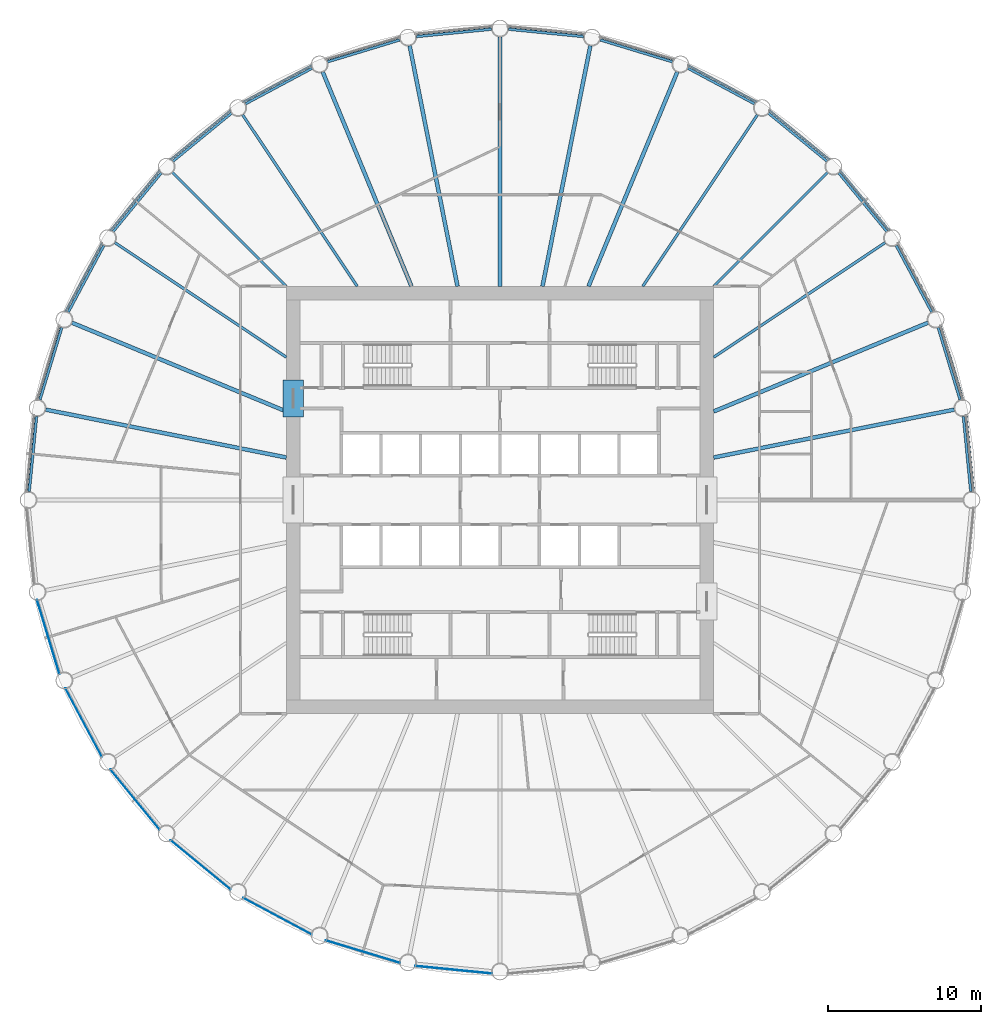
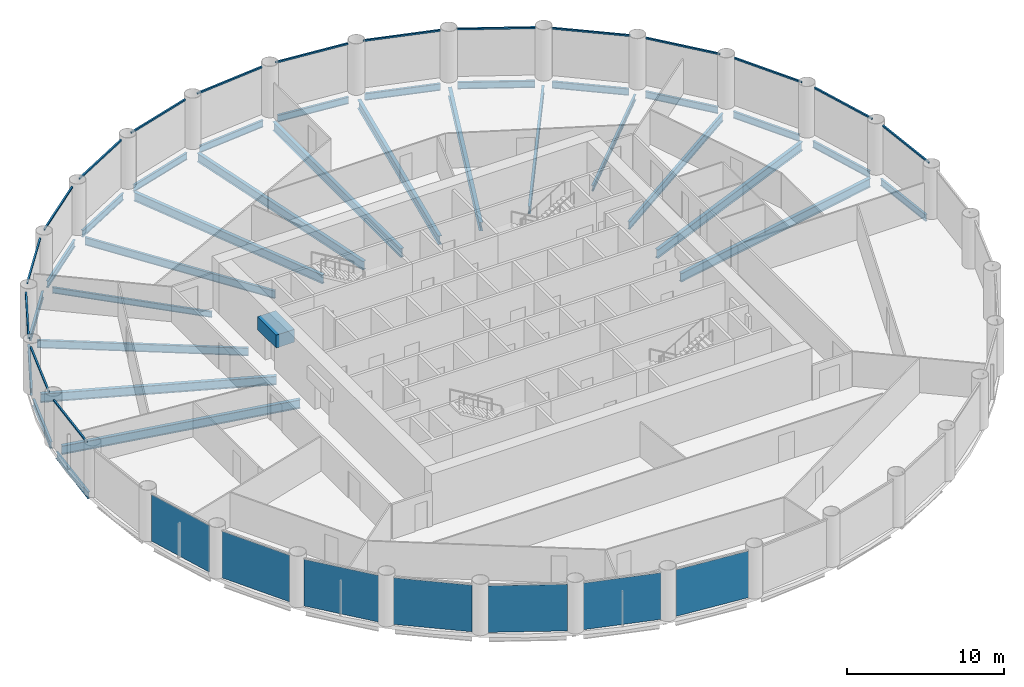
# One storey, part 2 of 9: 32 beams, 16 members, 7 plates, 23 elements without a shape of their own.
"""IFC4 building model written with IfcOpenShell, lengths in metres."""

from ifc_helpers import new_model, si_unit, direction, frame, origin, origin_2d, place, context, subcontext, project, spatial, rectangle, i_section, extrude, material, layer, layer_set, material_profile, profile_set, type_object, element, aggregate, save


model = new_model("IFC4")

# Units and contexts
model_context = context("Model", 3, precision=1e-05, world=origin(), true_north=direction((0.0, 1.0)))
body_context = subcontext(model_context, "Body", "Model", "MODEL_VIEW")
ifc_project = project(units=[si_unit("LENGTHUNIT", "METRE"), si_unit("AREAUNIT", "SQUARE_METRE"), si_unit("VOLUMEUNIT", "CUBIC_METRE"), si_unit("PLANEANGLEUNIT", "RADIAN"), si_unit("MASSUNIT", "GRAM", prefix="KILO")], contexts=[model_context])

# Site, building, storey
site_placement = place(None, origin())
site = spatial("IfcSite", under=ifc_project, at=site_placement, CompositionType="ELEMENT")
building_placement = place(site_placement, origin())
building = spatial("IfcBuilding", under=site, at=building_placement, Name="Corvane Civic Tower", CompositionType="ELEMENT")
storey_placement = place(building_placement, frame((0.0, 0.0, 148.0)))
storey = spatial("IfcBuildingStorey", under=building, at=storey_placement, Name="L34", CompositionType="ELEMENT", Elevation=148.0)

# Beams
ifc_material_1 = material(Name="Concrete C60/75", Category="concrete")
ifc_material_profile_1 = material_profile(ifc_material_1, rectangle(XDim=1.35009765625, YDim=1.0, at=origin_2d()), Name="COUPLING BEAM 1350X1000")
ifc_profile_set_1 = profile_set([ifc_material_profile_1], Name="Concrete C60/75")
beam_type_1 = type_object("IfcBeamType", Name="COUPLING BEAM COUPLING BEAM 1350X1000", PredefinedType="BEAM", material=ifc_profile_set_1)
beam_1_placement = place(storey_placement, frame((-13.550048828125, 5.449951171875, 2.60009765625), z_axis=(0.0, 1.0, 0.0), x_axis=(-1.0, 0.0, 0.0)))
element("IfcBeam", 1, at=beam_1_placement, inside=storey, type_object=beam_type_1, Name="BM-L34-cpl-CW-WN", PredefinedType="BEAM", context=body_context, shape_type="SweptSolid", body=[
    extrude(rectangle(XDim=1.35009765625, YDim=1.0, at=origin_2d()), origin(), (0.0, 0.0, 1.0), 2.400146484375),
])
ifc_material_2 = material(Name="Steel ASTM A992 Gr 50", Category="steel")
ifc_material_profile_2 = material_profile(ifc_material_2, i_section(OverallWidth=0.165771484375, OverallDepth=0.5283203125, WebThickness=0.009765625, FlangeThickness=0.013671875, at=origin_2d()), Name="W21X50")
ifc_profile_set_2 = profile_set([ifc_material_profile_2], Name="Steel ASTM A992 Gr 50")
beam_type_2 = type_object("IfcBeamType", Name="EDGE BEAM W21X50", PredefinedType="BEAM", material=ifc_profile_set_2)
beam_2_placement = place(storey_placement, frame((0.54736328125, 30.845947265625, -0.564208984375), z_axis=(0.995186236294, -0.09800181167, 0.0), x_axis=(0.09800181167, 0.995186236294, 0.0)))
element("IfcBeam", 2, at=beam_2_placement, inside=storey, type_object=beam_type_2, Name="BM-L34-E01", PredefinedType="BEAM", context=body_context, shape_type="SweptSolid", body=[
    extrude(i_section(OverallWidth=0.165771484375, OverallDepth=0.5283203125, WebThickness=0.009765625, FlangeThickness=0.013671875, at=origin_2d()), origin(), (0.0, 0.0, 1.0), 4.95751953125),
])
beam_3_placement = place(storey_placement, frame((6.5546875, 30.146484375, -0.564208984375), z_axis=(0.956944842086, -0.290269821381, 0.0), x_axis=(0.290269821381, 0.956944842086, 0.0)))
element("IfcBeam", 3, at=beam_3_placement, inside=storey, type_object=beam_type_2, Name="BM-L34-E02", PredefinedType="BEAM", context=body_context, shape_type="SweptSolid", body=[
    extrude(i_section(OverallWidth=0.165771484375, OverallDepth=0.5283203125, WebThickness=0.009765625, FlangeThickness=0.013671875, at=origin_2d()), origin(), (0.0, 0.0, 1.0), 4.957275390625),
])
for number, where, z_axis, x_axis, name in (
    (4, (12.31005859375, 28.28857421875, -0.564208984375), (0.881921784846, -0.471395763042, 0.0), (0.471395763042, 0.881921784846, 0.0), "BM-L34-E03"),
    (5, (17.59228515625, 25.343505859375, -0.564208984375), (0.77301516208, -0.634387546532, 0.0), (0.634387546532, 0.77301516208, 0.0), "BM-L34-E04"),
    (6, (22.198486328125, 21.424560546875, -0.564208984375), (0.634387546532, -0.77301516208, 0.0), (0.77301516208, 0.634387546532, 0.0), "BM-L34-E05"),
    (7, (25.95166015625, 16.68212890625, -0.564208984375), (0.471395763042, -0.881921784846, 0.0), (0.881921784846, 0.471395763042, 0.0), "BM-L34-E06"),
):
    element("IfcBeam", number, at=place(storey_placement, frame(where, z_axis=z_axis, x_axis=x_axis)), inside=storey, type_object=beam_type_2, Name=name, PredefinedType="BEAM", context=body_context, shape_type="SweptSolid", body=[
        extrude(i_section(OverallWidth=0.165771484375, OverallDepth=0.5283203125, WebThickness=0.009765625, FlangeThickness=0.013671875, at=origin_2d()), origin(), (0.0, 0.0, 1.0), 4.95751953125),
    ])
beam_4_placement = place(storey_placement, frame((28.70751953125, 11.298583984375, -0.564208984375), z_axis=(0.290269821381, -0.956944842086, 0.0), x_axis=(0.956944842086, 0.290269821381, 0.0)))
element("IfcBeam", 8, at=beam_4_placement, inside=storey, type_object=beam_type_2, Name="BM-L34-E07", PredefinedType="BEAM", context=body_context, shape_type="SweptSolid", body=[
    extrude(i_section(OverallWidth=0.165771484375, OverallDepth=0.5283203125, WebThickness=0.009765625, FlangeThickness=0.013671875, at=origin_2d()), origin(), (0.0, 0.0, 1.0), 4.957275390625),
])
for number, where, z_axis, x_axis, name in (
    (9, (30.360107421875, 5.48095703125, -0.564208984375), (0.09800181167, -0.995186236294, 0.0), (0.995186236294, 0.09800181167, 0.0), "BM-L34-E08"),
    (10, (-30.845947265625, 0.54736328125, -0.564208984375), (0.09800181167, 0.995186236294, 0.0), (-0.995186236294, 0.09800181167, 0.0), "BM-L34-E25"),
):
    element("IfcBeam", number, at=place(storey_placement, frame(where, z_axis=z_axis, x_axis=x_axis)), inside=storey, type_object=beam_type_2, Name=name, PredefinedType="BEAM", context=body_context, shape_type="SweptSolid", body=[
        extrude(i_section(OverallWidth=0.165771484375, OverallDepth=0.5283203125, WebThickness=0.009765625, FlangeThickness=0.013671875, at=origin_2d()), origin(), (0.0, 0.0, 1.0), 4.95751953125),
    ])
beam_5_placement = place(storey_placement, frame((-30.146484375, 6.5546875, -0.564208984375), z_axis=(0.290269821381, 0.956944842086, 0.0), x_axis=(-0.956944842086, 0.290269821381, 0.0)))
element("IfcBeam", 11, at=beam_5_placement, inside=storey, type_object=beam_type_2, Name="BM-L34-E26", PredefinedType="BEAM", context=body_context, shape_type="SweptSolid", body=[
    extrude(i_section(OverallWidth=0.165771484375, OverallDepth=0.5283203125, WebThickness=0.009765625, FlangeThickness=0.013671875, at=origin_2d()), origin(), (0.0, 0.0, 1.0), 4.957275390625),
])
for number, where, z_axis, x_axis, name in (
    (12, (-28.28857421875, 12.31005859375, -0.564208984375), (0.471395763042, 0.881921784846, 0.0), (-0.881921784846, 0.471395763042, 0.0), "BM-L34-E27"),
    (13, (-25.343505859375, 17.59228515625, -0.564208984375), (0.634387546532, 0.77301516208, 0.0), (-0.77301516208, 0.634387546532, 0.0), "BM-L34-E28"),
    (14, (-21.424560546875, 22.198486328125, -0.564208984375), (0.77301516208, 0.634387546532, 0.0), (-0.634387546532, 0.77301516208, 0.0), "BM-L34-E29"),
    (15, (-16.68212890625, 25.95166015625, -0.564208984375), (0.881921784846, 0.471395763042, 0.0), (-0.471395763042, 0.881921784846, 0.0), "BM-L34-E30"),
):
    element("IfcBeam", number, at=place(storey_placement, frame(where, z_axis=z_axis, x_axis=x_axis)), inside=storey, type_object=beam_type_2, Name=name, PredefinedType="BEAM", context=body_context, shape_type="SweptSolid", body=[
        extrude(i_section(OverallWidth=0.165771484375, OverallDepth=0.5283203125, WebThickness=0.009765625, FlangeThickness=0.013671875, at=origin_2d()), origin(), (0.0, 0.0, 1.0), 4.95751953125),
    ])
beam_6_placement = place(storey_placement, frame((-11.298583984375, 28.70751953125, -0.564208984375), z_axis=(0.956944842086, 0.290269821381, 0.0), x_axis=(-0.290269821381, 0.956944842086, 0.0)))
element("IfcBeam", 16, at=beam_6_placement, inside=storey, type_object=beam_type_2, Name="BM-L34-E31", PredefinedType="BEAM", context=body_context, shape_type="SweptSolid", body=[
    extrude(i_section(OverallWidth=0.165771484375, OverallDepth=0.5283203125, WebThickness=0.009765625, FlangeThickness=0.013671875, at=origin_2d()), origin(), (0.0, 0.0, 1.0), 4.957275390625),
])
beam_7_placement = place(storey_placement, frame((-5.48095703125, 30.360107421875, -0.564208984375), z_axis=(0.995186236294, 0.09800181167, 0.0), x_axis=(-0.09800181167, 0.995186236294, 0.0)))
element("IfcBeam", 17, at=beam_7_placement, inside=storey, type_object=beam_type_2, Name="BM-L34-E32", PredefinedType="BEAM", context=body_context, shape_type="SweptSolid", body=[
    extrude(i_section(OverallWidth=0.165771484375, OverallDepth=0.5283203125, WebThickness=0.009765625, FlangeThickness=0.013671875, at=origin_2d()), origin(), (0.0, 0.0, 1.0), 4.95751953125),
])
ifc_material_3 = material(Name="Steel ASTM A992 Gr 50", Category="steel")
ifc_material_profile_3 = material_profile(ifc_material_3, i_section(OverallWidth=0.15283203125, OverallDepth=0.45458984375, WebThickness=0.008056640625, FlangeThickness=0.013427734375, at=origin_2d()), Name="W18X40")
ifc_profile_set_3 = profile_set([ifc_material_profile_3], Name="Steel ASTM A992 Gr 50")
beam_type_3 = type_object("IfcBeamType", Name="FLOOR GIRDER W18X40", PredefinedType="BEAM", material=ifc_profile_set_3)
for number, where, z_axis, x_axis, name in (
    (18, (14.0, 14.0, -0.52734375), (0.707106781187, 0.707106781187, 0.0), (-0.707106781187, 0.707106781187, 0.0), "BM-L34-G05"),
    (19, (-14.0, 14.0, -0.52734375), (-0.707106781187, 0.707106781187, 0.0), (-0.707106781187, -0.707106781187, 0.0), "BM-L34-G29"),
):
    element("IfcBeam", number, at=place(storey_placement, frame(where, z_axis=z_axis, x_axis=x_axis)), inside=storey, type_object=beam_type_3, Name=name, PredefinedType="BEAM", context=body_context, shape_type="SweptSolid", body=[
        extrude(i_section(OverallWidth=0.15283203125, OverallDepth=0.45458984375, WebThickness=0.008056640625, FlangeThickness=0.013427734375, at=origin_2d()), origin(), (0.0, 0.0, 1.0), 10.551025390625),
    ])
ifc_material_4 = material(Name="Steel ASTM A992 Gr 50", Category="steel")
ifc_material_profile_4 = material_profile(ifc_material_4, i_section(OverallWidth=0.177978515625, OverallDepth=0.599365234375, WebThickness=0.010009765625, FlangeThickness=0.012939453125, at=origin_2d()), Name="W24X55")
ifc_profile_set_4 = profile_set([ifc_material_profile_4], Name="Steel ASTM A992 Gr 50")
beam_type_4 = type_object("IfcBeamType", Name="FLOOR GIRDER W24X55", PredefinedType="BEAM", material=ifc_profile_set_4)
for number, where, z_axis, x_axis, name in (
    (20, (9.3544921875, 14.0, -0.599609375), (0.555571323015, 0.83146888399, 0.0), (-0.83146888399, 0.555571323015, 0.0), "BM-L34-G04"),
    (21, (14.0, 9.3544921875, -0.599609375), (0.83146888399, 0.555571323015, 0.0), (-0.555571323015, 0.83146888399, 0.0), "BM-L34-G06"),
    (22, (-14.0, 9.3544921875, -0.599609375), (-0.83146888399, 0.555571323015, 0.0), (-0.555571323015, -0.83146888399, 0.0), "BM-L34-G28"),
    (23, (-9.3544921875, 14.0, -0.599609375), (-0.555571323015, 0.83146888399, 0.0), (-0.83146888399, -0.555571323015, 0.0), "BM-L34-G30"),
):
    element("IfcBeam", number, at=place(storey_placement, frame(where, z_axis=z_axis, x_axis=x_axis)), inside=storey, type_object=beam_type_4, Name=name, PredefinedType="BEAM", context=body_context, shape_type="SweptSolid", body=[
        extrude(i_section(OverallWidth=0.177978515625, OverallDepth=0.599365234375, WebThickness=0.010009765625, FlangeThickness=0.012939453125, at=origin_2d()), origin(), (0.0, 0.0, 1.0), 13.512451171875),
    ])
ifc_material_5 = material(Name="Steel ASTM A992 Gr 50", Category="steel")
ifc_material_profile_5 = material_profile(ifc_material_5, i_section(OverallWidth=0.25390625, OverallDepth=0.67822265625, WebThickness=0.01171875, FlangeThickness=0.016357421875, at=origin_2d()), Name="W27X84")
ifc_profile_set_5 = profile_set([ifc_material_profile_5], Name="Steel ASTM A992 Gr 50")
beam_type_5 = type_object("IfcBeamType", Name="FLOOR GIRDER W27X84", PredefinedType="BEAM", material=ifc_profile_set_5)
beam_8_placement = place(storey_placement, frame((0.0, 14.0, -0.63916015625), z_axis=(0.0, 1.0, 0.0), x_axis=(-1.0, 0.0, 0.0)))
element("IfcBeam", 24, at=beam_8_placement, inside=storey, type_object=beam_type_5, Name="BM-L34-G01", PredefinedType="BEAM", context=body_context, shape_type="SweptSolid", body=[
    extrude(i_section(OverallWidth=0.25390625, OverallDepth=0.67822265625, WebThickness=0.01171875, FlangeThickness=0.016357421875, at=origin_2d()), origin(), (0.0, 0.0, 1.0), 16.35009765625),
])
beam_9_placement = place(storey_placement, frame((2.78466796875, 14.0, -0.63916015625), z_axis=(0.195090912248, 0.980785162999, 0.0), x_axis=(-0.980785162999, 0.195090912248, 0.0)))
element("IfcBeam", 25, at=beam_9_placement, inside=storey, type_object=beam_type_5, Name="BM-L34-G02", PredefinedType="BEAM", context=body_context, shape_type="SweptSolid", body=[
    extrude(i_section(OverallWidth=0.25390625, OverallDepth=0.67822265625, WebThickness=0.01171875, FlangeThickness=0.016357421875, at=origin_2d()), origin(), (0.0, 0.0, 1.0), 16.07568359375),
])
for number, where, z_axis, x_axis, name in (
    (26, (5.799072265625, 14.0, -0.63916015625), (0.38268097323, 0.923880551114, 0.0), (-0.923880551114, 0.38268097323, 0.0), "BM-L34-G03"),
    (27, (14.0, 5.799072265625, -0.63916015625), (0.923880551114, 0.38268097323, 0.0), (-0.38268097323, 0.923880551114, 0.0), "BM-L34-G07"),
):
    element("IfcBeam", number, at=place(storey_placement, frame(where, z_axis=z_axis, x_axis=x_axis)), inside=storey, type_object=beam_type_5, Name=name, PredefinedType="BEAM", context=body_context, shape_type="SweptSolid", body=[
        extrude(i_section(OverallWidth=0.25390625, OverallDepth=0.67822265625, WebThickness=0.01171875, FlangeThickness=0.016357421875, at=origin_2d()), origin(), (0.0, 0.0, 1.0), 15.196533203125),
    ])
for number, where, z_axis, x_axis, name in (
    (28, (14.0, 2.78466796875, -0.63916015625), (0.980785162999, 0.195090912248, 0.0), (-0.195090912248, 0.980785162999, 0.0), "BM-L34-G08"),
    (29, (-14.0, 2.78466796875, -0.63916015625), (-0.980785162999, 0.195090912248, 0.0), (-0.195090912248, -0.980785162999, 0.0), "BM-L34-G26"),
):
    element("IfcBeam", number, at=place(storey_placement, frame(where, z_axis=z_axis, x_axis=x_axis)), inside=storey, type_object=beam_type_5, Name=name, PredefinedType="BEAM", context=body_context, shape_type="SweptSolid", body=[
        extrude(i_section(OverallWidth=0.25390625, OverallDepth=0.67822265625, WebThickness=0.01171875, FlangeThickness=0.016357421875, at=origin_2d()), origin(), (0.0, 0.0, 1.0), 16.07568359375),
    ])
for number, where, z_axis, x_axis, name in (
    (30, (-14.0, 5.799072265625, -0.63916015625), (-0.923880551114, 0.38268097323, 0.0), (-0.38268097323, -0.923880551114, 0.0), "BM-L34-G27"),
    (31, (-5.799072265625, 14.0, -0.63916015625), (-0.38268097323, 0.923880551114, 0.0), (-0.923880551114, -0.38268097323, 0.0), "BM-L34-G31"),
):
    element("IfcBeam", number, at=place(storey_placement, frame(where, z_axis=z_axis, x_axis=x_axis)), inside=storey, type_object=beam_type_5, Name=name, PredefinedType="BEAM", context=body_context, shape_type="SweptSolid", body=[
        extrude(i_section(OverallWidth=0.25390625, OverallDepth=0.67822265625, WebThickness=0.01171875, FlangeThickness=0.016357421875, at=origin_2d()), origin(), (0.0, 0.0, 1.0), 15.196533203125),
    ])
beam_10_placement = place(storey_placement, frame((-2.78466796875, 14.0, -0.63916015625), z_axis=(-0.195090912248, 0.980785162999, 0.0), x_axis=(-0.980785162999, -0.195090912248, 0.0)))
element("IfcBeam", 32, at=beam_10_placement, inside=storey, type_object=beam_type_5, Name="BM-L34-G32", PredefinedType="BEAM", context=body_context, shape_type="SweptSolid", body=[
    extrude(i_section(OverallWidth=0.25390625, OverallDepth=0.67822265625, WebThickness=0.01171875, FlangeThickness=0.016357421875, at=origin_2d()), origin(), (0.0, 0.0, 1.0), 16.07568359375),
])

# Curtain wall, member
ifc_material_6 = material(Name="Anodised aluminium bronze", Category="aluminium")
curtain_wall_type = type_object("IfcCurtainWallType", Name="TOWER CW-T2 STICK CURTAIN WALL", PredefinedType="NOTDEFINED", material=ifc_material_6)
curtain_wall_1_placement = place(storey_placement, origin())
curtain_wall_1 = element("IfcCurtainWall", 33, at=curtain_wall_1_placement, inside=storey, type_object=curtain_wall_type, Name="Curtain wall CW-T2 L34 bay 01", PredefinedType="NOTDEFINED")
ifc_material_7 = material(Name="Anodised aluminium bronze", Category="aluminium")
ifc_material_profile_6 = material_profile(ifc_material_7, rectangle(XDim=0.1201171875, YDim=0.1201171875, at=origin_2d()), Name="TOWER CW-T2 TRANSOM 120x120")
ifc_profile_set_6 = profile_set([ifc_material_profile_6], Name="Anodised aluminium bronze")
member_type = type_object("IfcMemberType", Name="TOWER CW-T2 TRANSOM 120x120", PredefinedType="USERDEFINED", material=ifc_profile_set_6)
member_1_placement = place(storey_placement, frame((0.505126953125, 31.0302734375, 3.68994140625), z_axis=(0.995187423416, -0.097989755963, 0.0), x_axis=(0.097989755963, 0.995187423416, 0.0)))
member_1 = element("IfcMember", 34, at=member_1_placement, type_object=member_type, Name="Transom CW-T2 L34 01.1", ObjectType="TRANSOM", PredefinedType="USERDEFINED", context=body_context, shape_type="SweptSolid", body=[
    extrude(rectangle(XDim=0.1201171875, YDim=0.1201171875, at=origin_2d()), origin(), (0.0, 0.0, 1.0), 5.07763671875),
])
aggregate(curtain_wall_1, [member_1])

curtain_wall_2_placement = place(storey_placement, origin())
curtain_wall_2 = element("IfcCurtainWall", 35, at=curtain_wall_2_placement, inside=storey, type_object=curtain_wall_type, Name="Curtain wall CW-T2 L34 bay 02", PredefinedType="NOTDEFINED")
member_2_placement = place(storey_placement, frame((6.54931640625, 30.33544921875, 3.68994140625), z_axis=(0.956939031389, -0.290288977061, 0.0), x_axis=(0.290288977061, 0.956939031389, 0.0)))
member_2 = element("IfcMember", 36, at=member_2_placement, type_object=member_type, Name="Transom CW-T2 L34 02.1", ObjectType="TRANSOM", PredefinedType="USERDEFINED", context=body_context, shape_type="SweptSolid", body=[
    extrude(rectangle(XDim=0.1201171875, YDim=0.1201171875, at=origin_2d()), origin(), (0.0, 0.0, 1.0), 5.077392578125),
])
aggregate(curtain_wall_2, [member_2])

curtain_wall_3_placement = place(storey_placement, origin())
curtain_wall_3 = element("IfcCurtainWall", 37, at=curtain_wall_3_placement, inside=storey, type_object=curtain_wall_type, Name="Curtain wall CW-T2 L34 bay 03", PredefinedType="NOTDEFINED")
member_3_placement = place(storey_placement, frame((12.341552734375, 28.474853515625, 3.68994140625), z_axis=(0.881921329426, -0.471396615074, 0.0), x_axis=(0.471396615074, 0.881921329426, 0.0)))
member_3 = element("IfcMember", 38, at=member_3_placement, type_object=member_type, Name="Transom CW-T2 L34 03.1", ObjectType="TRANSOM", PredefinedType="USERDEFINED", context=body_context, shape_type="SweptSolid", body=[
    extrude(rectangle(XDim=0.1201171875, YDim=0.1201171875, at=origin_2d()), origin(), (0.0, 0.0, 1.0), 5.07763671875),
])
aggregate(curtain_wall_3, [member_3])

curtain_wall_4_placement = place(storey_placement, origin())
curtain_wall_4 = element("IfcCurtainWall", 39, at=curtain_wall_4_placement, inside=storey, type_object=curtain_wall_type, Name="Curtain wall CW-T2 L34 bay 04", PredefinedType="NOTDEFINED")
member_4_placement = place(storey_placement, frame((17.65966796875, 25.519775390625, 3.68994140625), z_axis=(0.773015929719, -0.634386611146, 0.0), x_axis=(0.634386611146, 0.773015929719, 0.0)))
member_4 = element("IfcMember", 40, at=member_4_placement, type_object=member_type, Name="Transom CW-T2 L34 04.1", ObjectType="TRANSOM", PredefinedType="USERDEFINED", context=body_context, shape_type="SweptSolid", body=[
    extrude(rectangle(XDim=0.1201171875, YDim=0.1201171875, at=origin_2d()), origin(), (0.0, 0.0, 1.0), 5.0771484375),
])
aggregate(curtain_wall_4, [member_4])

curtain_wall_5_placement = place(storey_placement, origin())
curtain_wall_5 = element("IfcCurtainWall", 41, at=curtain_wall_5_placement, inside=storey, type_object=curtain_wall_type, Name="Curtain wall CW-T2 L34 bay 05", PredefinedType="NOTDEFINED")
member_5_placement = place(storey_placement, frame((22.298828125, 21.58447265625, 3.68994140625), z_axis=(0.634386611146, -0.773015929719, 0.0), x_axis=(0.773015929719, 0.634386611146, 0.0)))
member_5 = element("IfcMember", 42, at=member_5_placement, type_object=member_type, Name="Transom CW-T2 L34 05.1", ObjectType="TRANSOM", PredefinedType="USERDEFINED", context=body_context, shape_type="SweptSolid", body=[
    extrude(rectangle(XDim=0.1201171875, YDim=0.1201171875, at=origin_2d()), origin(), (0.0, 0.0, 1.0), 5.0771484375),
])
aggregate(curtain_wall_5, [member_5])

curtain_wall_6_placement = place(storey_placement, origin())
curtain_wall_6 = element("IfcCurtainWall", 43, at=curtain_wall_6_placement, inside=storey, type_object=curtain_wall_type, Name="Curtain wall CW-T2 L34 bay 06", PredefinedType="NOTDEFINED")
member_6_placement = place(storey_placement, frame((26.081298828125, 16.819580078125, 3.68994140625), z_axis=(0.471396615074, -0.881921329426, 0.0), x_axis=(0.881921329426, 0.471396615074, 0.0)))
member_6 = element("IfcMember", 44, at=member_6_placement, type_object=member_type, Name="Transom CW-T2 L34 06.1", ObjectType="TRANSOM", PredefinedType="USERDEFINED", context=body_context, shape_type="SweptSolid", body=[
    extrude(rectangle(XDim=0.1201171875, YDim=0.1201171875, at=origin_2d()), origin(), (0.0, 0.0, 1.0), 5.07763671875),
])
aggregate(curtain_wall_6, [member_6])

curtain_wall_7_placement = place(storey_placement, origin())
curtain_wall_7 = element("IfcCurtainWall", 45, at=curtain_wall_7_placement, inside=storey, type_object=curtain_wall_type, Name="Curtain wall CW-T2 L34 bay 07", PredefinedType="NOTDEFINED")
member_7_placement = place(storey_placement, frame((28.861572265625, 11.407958984375, 3.68994140625), z_axis=(0.290288977061, -0.956939031389, 0.0), x_axis=(0.956939031389, 0.290288977061, 0.0)))
member_7 = element("IfcMember", 46, at=member_7_placement, type_object=member_type, Name="Transom CW-T2 L34 07.1", ObjectType="TRANSOM", PredefinedType="USERDEFINED", context=body_context, shape_type="SweptSolid", body=[
    extrude(rectangle(XDim=0.1201171875, YDim=0.1201171875, at=origin_2d()), origin(), (0.0, 0.0, 1.0), 5.077392578125),
])
aggregate(curtain_wall_7, [member_7])

curtain_wall_8_placement = place(storey_placement, origin())
curtain_wall_8 = element("IfcCurtainWall", 47, at=curtain_wall_8_placement, inside=storey, type_object=curtain_wall_type, Name="Curtain wall CW-T2 L34 bay 08", PredefinedType="NOTDEFINED")
member_8_placement = place(storey_placement, frame((30.53271484375, 5.558349609375, 3.68994140625), z_axis=(0.097989755963, -0.995187423416, 0.0), x_axis=(0.995187423416, 0.097989755963, 0.0)))
member_8 = element("IfcMember", 48, at=member_8_placement, type_object=member_type, Name="Transom CW-T2 L34 08.1", ObjectType="TRANSOM", PredefinedType="USERDEFINED", context=body_context, shape_type="SweptSolid", body=[
    extrude(rectangle(XDim=0.1201171875, YDim=0.1201171875, at=origin_2d()), origin(), (0.0, 0.0, 1.0), 5.07763671875),
])
aggregate(curtain_wall_8, [member_8])

curtain_wall_9_placement = place(storey_placement, origin())
curtain_wall_9 = element("IfcCurtainWall", 49, at=curtain_wall_9_placement, inside=storey, type_object=curtain_wall_type, Name="Curtain wall CW-T2 L34 bay 25", PredefinedType="NOTDEFINED")
member_9_placement = place(storey_placement, frame((-31.0302734375, 0.505126953125, 3.68994140625), z_axis=(0.097989755963, 0.995187423416, 0.0), x_axis=(-0.995187423416, 0.097989755963, 0.0)))
member_9 = element("IfcMember", 50, at=member_9_placement, type_object=member_type, Name="Transom CW-T2 L34 25.1", ObjectType="TRANSOM", PredefinedType="USERDEFINED", context=body_context, shape_type="SweptSolid", body=[
    extrude(rectangle(XDim=0.1201171875, YDim=0.1201171875, at=origin_2d()), origin(), (0.0, 0.0, 1.0), 5.07763671875),
])
aggregate(curtain_wall_9, [member_9])

curtain_wall_10_placement = place(storey_placement, origin())
curtain_wall_10 = element("IfcCurtainWall", 51, at=curtain_wall_10_placement, inside=storey, type_object=curtain_wall_type, Name="Curtain wall CW-T2 L34 bay 26", PredefinedType="NOTDEFINED")
member_10_placement = place(storey_placement, frame((-30.33544921875, 6.54931640625, 3.68994140625), z_axis=(0.290288977061, 0.956939031389, 0.0), x_axis=(-0.956939031389, 0.290288977061, 0.0)))
member_10 = element("IfcMember", 52, at=member_10_placement, type_object=member_type, Name="Transom CW-T2 L34 26.1", ObjectType="TRANSOM", PredefinedType="USERDEFINED", context=body_context, shape_type="SweptSolid", body=[
    extrude(rectangle(XDim=0.1201171875, YDim=0.1201171875, at=origin_2d()), origin(), (0.0, 0.0, 1.0), 5.077392578125),
])
aggregate(curtain_wall_10, [member_10])

curtain_wall_11_placement = place(storey_placement, origin())
curtain_wall_11 = element("IfcCurtainWall", 53, at=curtain_wall_11_placement, inside=storey, type_object=curtain_wall_type, Name="Curtain wall CW-T2 L34 bay 27", PredefinedType="NOTDEFINED")
member_11_placement = place(storey_placement, frame((-28.474853515625, 12.341552734375, 3.68994140625), z_axis=(0.471396615074, 0.881921329426, 0.0), x_axis=(-0.881921329426, 0.471396615074, 0.0)))
member_11 = element("IfcMember", 54, at=member_11_placement, type_object=member_type, Name="Transom CW-T2 L34 27.1", ObjectType="TRANSOM", PredefinedType="USERDEFINED", context=body_context, shape_type="SweptSolid", body=[
    extrude(rectangle(XDim=0.1201171875, YDim=0.1201171875, at=origin_2d()), origin(), (0.0, 0.0, 1.0), 5.07763671875),
])
aggregate(curtain_wall_11, [member_11])

curtain_wall_12_placement = place(storey_placement, origin())
curtain_wall_12 = element("IfcCurtainWall", 55, at=curtain_wall_12_placement, inside=storey, type_object=curtain_wall_type, Name="Curtain wall CW-T2 L34 bay 28", PredefinedType="NOTDEFINED")
member_12_placement = place(storey_placement, frame((-25.519775390625, 17.65966796875, 3.68994140625), z_axis=(0.634386611146, 0.773015929719, 0.0), x_axis=(-0.773015929719, 0.634386611146, 0.0)))
member_12 = element("IfcMember", 56, at=member_12_placement, type_object=member_type, Name="Transom CW-T2 L34 28.1", ObjectType="TRANSOM", PredefinedType="USERDEFINED", context=body_context, shape_type="SweptSolid", body=[
    extrude(rectangle(XDim=0.1201171875, YDim=0.1201171875, at=origin_2d()), origin(), (0.0, 0.0, 1.0), 5.0771484375),
])
aggregate(curtain_wall_12, [member_12])

curtain_wall_13_placement = place(storey_placement, origin())
curtain_wall_13 = element("IfcCurtainWall", 57, at=curtain_wall_13_placement, inside=storey, type_object=curtain_wall_type, Name="Curtain wall CW-T2 L34 bay 29", PredefinedType="NOTDEFINED")
member_13_placement = place(storey_placement, frame((-21.58447265625, 22.298828125, 3.68994140625), z_axis=(0.773015929719, 0.634386611146, 0.0), x_axis=(-0.634386611146, 0.773015929719, 0.0)))
member_13 = element("IfcMember", 58, at=member_13_placement, type_object=member_type, Name="Transom CW-T2 L34 29.1", ObjectType="TRANSOM", PredefinedType="USERDEFINED", context=body_context, shape_type="SweptSolid", body=[
    extrude(rectangle(XDim=0.1201171875, YDim=0.1201171875, at=origin_2d()), origin(), (0.0, 0.0, 1.0), 5.0771484375),
])
aggregate(curtain_wall_13, [member_13])

curtain_wall_14_placement = place(storey_placement, origin())
curtain_wall_14 = element("IfcCurtainWall", 59, at=curtain_wall_14_placement, inside=storey, type_object=curtain_wall_type, Name="Curtain wall CW-T2 L34 bay 30", PredefinedType="NOTDEFINED")
member_14_placement = place(storey_placement, frame((-16.819580078125, 26.081298828125, 3.68994140625), z_axis=(0.881921329426, 0.471396615074, 0.0), x_axis=(-0.471396615074, 0.881921329426, 0.0)))
member_14 = element("IfcMember", 60, at=member_14_placement, type_object=member_type, Name="Transom CW-T2 L34 30.1", ObjectType="TRANSOM", PredefinedType="USERDEFINED", context=body_context, shape_type="SweptSolid", body=[
    extrude(rectangle(XDim=0.1201171875, YDim=0.1201171875, at=origin_2d()), origin(), (0.0, 0.0, 1.0), 5.07763671875),
])
aggregate(curtain_wall_14, [member_14])

curtain_wall_15_placement = place(storey_placement, origin())
curtain_wall_15 = element("IfcCurtainWall", 61, at=curtain_wall_15_placement, inside=storey, type_object=curtain_wall_type, Name="Curtain wall CW-T2 L34 bay 31", PredefinedType="NOTDEFINED")
member_15_placement = place(storey_placement, frame((-11.407958984375, 28.861572265625, 3.68994140625), z_axis=(0.956939031389, 0.290288977061, 0.0), x_axis=(-0.290288977061, 0.956939031389, 0.0)))
member_15 = element("IfcMember", 62, at=member_15_placement, type_object=member_type, Name="Transom CW-T2 L34 31.1", ObjectType="TRANSOM", PredefinedType="USERDEFINED", context=body_context, shape_type="SweptSolid", body=[
    extrude(rectangle(XDim=0.1201171875, YDim=0.1201171875, at=origin_2d()), origin(), (0.0, 0.0, 1.0), 5.077392578125),
])
aggregate(curtain_wall_15, [member_15])

curtain_wall_16_placement = place(storey_placement, origin())
curtain_wall_16 = element("IfcCurtainWall", 63, at=curtain_wall_16_placement, inside=storey, type_object=curtain_wall_type, Name="Curtain wall CW-T2 L34 bay 32", PredefinedType="NOTDEFINED")
member_16_placement = place(storey_placement, frame((-5.558349609375, 30.53271484375, 3.68994140625), z_axis=(0.995187423416, 0.097989755963, 0.0), x_axis=(-0.097989755963, 0.995187423416, 0.0)))
member_16 = element("IfcMember", 64, at=member_16_placement, type_object=member_type, Name="Transom CW-T2 L34 32.1", ObjectType="TRANSOM", PredefinedType="USERDEFINED", context=body_context, shape_type="SweptSolid", body=[
    extrude(rectangle(XDim=0.1201171875, YDim=0.1201171875, at=origin_2d()), origin(), (0.0, 0.0, 1.0), 5.07763671875),
])
aggregate(curtain_wall_16, [member_16])

# Curtain wall, plate
curtain_wall_17_placement = place(storey_placement, origin())
curtain_wall_17 = element("IfcCurtainWall", 65, at=curtain_wall_17_placement, inside=storey, type_object=curtain_wall_type, Name="Curtain wall CW-T2 L34 bay 17", PredefinedType="NOTDEFINED")
ifc_material_8 = material(Name="Tinted glass", Category="glass")
ifc_layer = layer(ifc_material_8, 0.031982421875)
ifc_layer_set = layer_set([ifc_layer], Name="Tinted glass")
plate_type = type_object("IfcPlateType", Name="TOWER CW-T2 PANEL IGU32", PredefinedType="CURTAIN_PANEL", material=ifc_layer_set)
plate_1_placement = place(storey_placement, frame((-3.03173828125, -30.781494140625, 0.0), z_axis=(0.0, 0.0, 1.0), x_axis=(-0.995185244531, 0.098011882274, 0.0)))
plate_1 = element("IfcPlate", 66, at=plate_1_placement, type_object=plate_type, Name="Glass panel CW-T2 L34 17.1", PredefinedType="CURTAIN_PANEL", context=body_context, shape_type="SweptSolid", body=[
    extrude(rectangle(XDim=5.07763671875, YDim=0.031982421875, at=origin_2d()), origin(), (0.0, 0.0, 1.0), 3.6298828125),
])
aggregate(curtain_wall_17, [plate_1])

curtain_wall_18_placement = place(storey_placement, origin())
curtain_wall_18 = element("IfcCurtainWall", 67, at=curtain_wall_18_placement, inside=storey, type_object=curtain_wall_type, Name="Curtain wall CW-T2 L34 bay 18", PredefinedType="NOTDEFINED")
plate_2_placement = place(storey_placement, frame((-8.978515625, -29.5986328125, 0.0), z_axis=(0.0, 0.0, 1.0), x_axis=(-0.956931677007, 0.290313219714, 0.0)))
plate_2 = element("IfcPlate", 68, at=plate_2_placement, type_object=plate_type, Name="Glass panel CW-T2 L34 18.1", PredefinedType="CURTAIN_PANEL", context=body_context, shape_type="SweptSolid", body=[
    extrude(rectangle(XDim=5.077392578125, YDim=0.031982421875, at=origin_2d()), origin(), (0.0, 0.0, 1.0), 3.6298828125),
])
aggregate(curtain_wall_18, [plate_2])

curtain_wall_19_placement = place(storey_placement, origin())
curtain_wall_19 = element("IfcCurtainWall", 69, at=curtain_wall_19_placement, inside=storey, type_object=curtain_wall_type, Name="Curtain wall CW-T2 L34 bay 19", PredefinedType="NOTDEFINED")
plate_3_placement = place(storey_placement, frame((-14.58056640625, -27.278076171875, 0.0), z_axis=(0.0, 0.0, 1.0), x_axis=(-0.881922190434, 0.471395004238, 0.0)))
plate_3 = element("IfcPlate", 70, at=plate_3_placement, type_object=plate_type, Name="Glass panel CW-T2 L34 19.1", PredefinedType="CURTAIN_PANEL", context=body_context, shape_type="SweptSolid", body=[
    extrude(rectangle(XDim=5.077392578125, YDim=0.031982421875, at=origin_2d()), origin(), (0.0, 0.0, 1.0), 3.6298828125),
])
aggregate(curtain_wall_19, [plate_3])

curtain_wall_20_placement = place(storey_placement, origin())
curtain_wall_20 = element("IfcCurtainWall", 71, at=curtain_wall_20_placement, inside=storey, type_object=curtain_wall_type, Name="Curtain wall CW-T2 L34 bay 20", PredefinedType="NOTDEFINED")
plate_4_placement = place(storey_placement, frame((-19.6220703125, -23.909423828125, 0.0), z_axis=(0.0, 0.0, 1.0), x_axis=(-0.773004844196, 0.634400118891, 0.0)))
plate_4 = element("IfcPlate", 72, at=plate_4_placement, type_object=plate_type, Name="Glass panel CW-T2 L34 20.1", PredefinedType="CURTAIN_PANEL", context=body_context, shape_type="SweptSolid", body=[
    extrude(rectangle(XDim=5.0771484375, YDim=0.031982421875, at=origin_2d()), origin(), (0.0, 0.0, 1.0), 3.6298828125),
])
aggregate(curtain_wall_20, [plate_4])

curtain_wall_21_placement = place(storey_placement, origin())
curtain_wall_21 = element("IfcCurtainWall", 73, at=curtain_wall_21_placement, inside=storey, type_object=curtain_wall_type, Name="Curtain wall CW-T2 L34 bay 21", PredefinedType="NOTDEFINED")
plate_5_placement = place(storey_placement, frame((-23.909423828125, -19.6220703125, 0.0), z_axis=(0.0, 0.0, 1.0), x_axis=(-0.634400118891, 0.773004844196, 0.0)))
plate_5 = element("IfcPlate", 74, at=plate_5_placement, type_object=plate_type, Name="Glass panel CW-T2 L34 21.1", PredefinedType="CURTAIN_PANEL", context=body_context, shape_type="SweptSolid", body=[
    extrude(rectangle(XDim=5.0771484375, YDim=0.031982421875, at=origin_2d()), origin(), (0.0, 0.0, 1.0), 3.6298828125),
])
aggregate(curtain_wall_21, [plate_5])

curtain_wall_22_placement = place(storey_placement, origin())
curtain_wall_22 = element("IfcCurtainWall", 75, at=curtain_wall_22_placement, inside=storey, type_object=curtain_wall_type, Name="Curtain wall CW-T2 L34 bay 22", PredefinedType="NOTDEFINED")
plate_6_placement = place(storey_placement, frame((-27.278076171875, -14.58056640625, 0.0), z_axis=(0.0, 0.0, 1.0), x_axis=(-0.471395004238, 0.881922190434, 0.0)))
plate_6 = element("IfcPlate", 76, at=plate_6_placement, type_object=plate_type, Name="Glass panel CW-T2 L34 22.1", PredefinedType="CURTAIN_PANEL", context=body_context, shape_type="SweptSolid", body=[
    extrude(rectangle(XDim=5.077392578125, YDim=0.031982421875, at=origin_2d()), origin(), (0.0, 0.0, 1.0), 3.6298828125),
])
aggregate(curtain_wall_22, [plate_6])

curtain_wall_23_placement = place(storey_placement, origin())
curtain_wall_23 = element("IfcCurtainWall", 77, at=curtain_wall_23_placement, inside=storey, type_object=curtain_wall_type, Name="Curtain wall CW-T2 L34 bay 23", PredefinedType="NOTDEFINED")
plate_7_placement = place(storey_placement, frame((-29.5986328125, -8.978515625, 0.0), z_axis=(0.0, 0.0, 1.0), x_axis=(-0.290313219714, 0.956931677007, 0.0)))
plate_7 = element("IfcPlate", 78, at=plate_7_placement, type_object=plate_type, Name="Glass panel CW-T2 L34 23.1", PredefinedType="CURTAIN_PANEL", context=body_context, shape_type="SweptSolid", body=[
    extrude(rectangle(XDim=5.077392578125, YDim=0.031982421875, at=origin_2d()), origin(), (0.0, 0.0, 1.0), 3.6298828125),
])
aggregate(curtain_wall_23, [plate_7])

save(model, "model.ifc")
